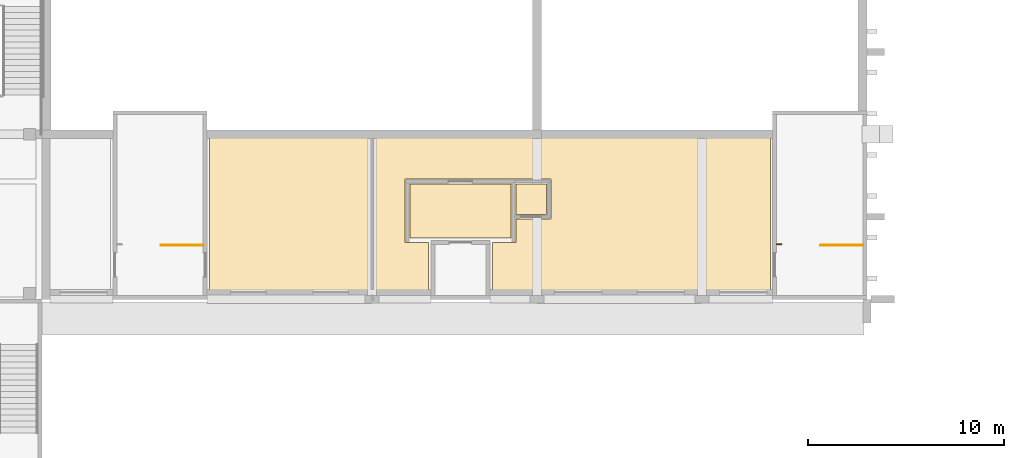
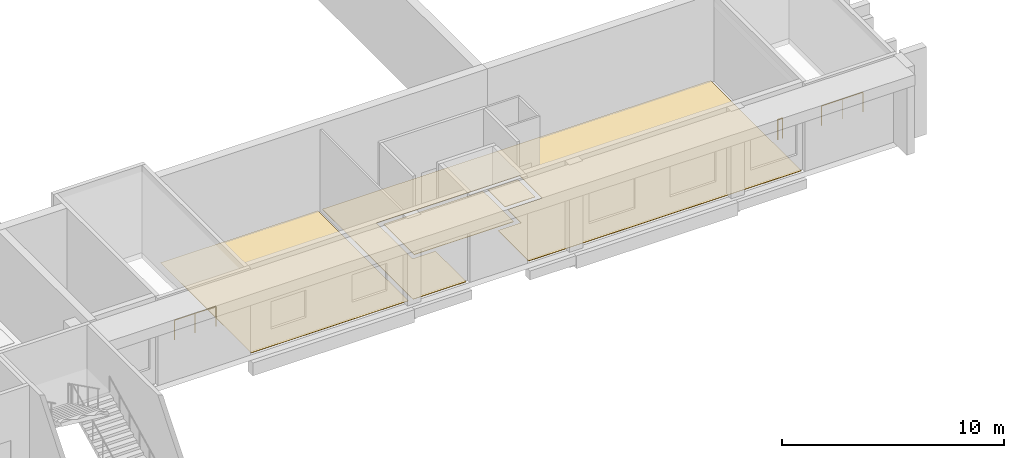
# One storey, part 76 of 86: 4 coverings, 3 railings.
"""IFC4 building model written with IfcOpenShell, lengths in metres."""

from ifc_helpers import new_model, si_unit, direction, frame, origin, origin_2d, place, context, subcontext, project, spatial, polyline, circle, outline, extrude, material, layer, layer_set, type_object, element, save


model = new_model("IFC4")

# Units and contexts
model_context = context("Model", 3, precision=1e-05, world=origin(), true_north=direction((0.0, 1.0)))
body_context = subcontext(model_context, "Body", "Model", "MODEL_VIEW")
ifc_project = project(units=[si_unit("LENGTHUNIT", "METRE"), si_unit("AREAUNIT", "SQUARE_METRE"), si_unit("VOLUMEUNIT", "CUBIC_METRE"), si_unit("PLANEANGLEUNIT", "RADIAN"), si_unit("MASSUNIT", "GRAM", prefix="KILO")], contexts=[model_context])

# Site, building, storey
site_placement = place(None, origin())
site = spatial("IfcSite", under=ifc_project, at=site_placement, CompositionType="ELEMENT")
building_placement = place(site_placement, origin())
building = spatial("IfcBuilding", under=site, at=building_placement, Name="Kiln Court Media Centre", CompositionType="ELEMENT")
storey_placement = place(building_placement, frame((0.0, 0.0, 10.199951171875)))
storey = spatial("IfcBuildingStorey", under=building, at=storey_placement, Name="L02", CompositionType="ELEMENT", Elevation=10.199951171875)

# Coverings
ifc_material_1 = material(Name="Carpet tile")
ifc_layer_1 = layer(ifc_material_1, 0.014892578125)
ifc_layer_set_1 = layer_set([ifc_layer_1], Name="Carpet tile floor finish 15")
covering_type_1 = type_object("IfcCoveringType", Name="Carpet tile floor finish 15", PredefinedType="FLOORING", material=ifc_layer_set_1)
covering_1_placement = place(storey_placement, origin())
element("IfcCovering", 1, at=covering_1_placement, inside=storey, type_object=covering_type_1, Name="Cinema Administration floor finish", PredefinedType="FLOORING", context=body_context, shape_type="SweptSolid", body=[
    extrude(outline(polyline([(67.320068359375, 25.320068359375), (75.47998046875, 25.320068359375), (75.47998046875, 33.47998046875), (67.320068359375, 33.47998046875), (67.320068359375, 25.320068359375)])), origin(), (0.0, 0.0, 1.0), 0.01513671875),
])
ifc_material_2 = material(Name="Engineered timber", Category="wood")
ifc_layer_2 = layer(ifc_material_2, 0.02001953125)
ifc_layer_set_2 = layer_set([ifc_layer_2], Name="Engineered timber floor finish 20")
covering_type_2 = type_object("IfcCoveringType", Name="Engineered timber floor finish 20", PredefinedType="FLOORING", material=ifc_layer_set_2)
covering_2_placement = place(storey_placement, origin())
element("IfcCovering", 2, at=covering_2_placement, inside=storey, type_object=covering_type_2, Name="Upper Lounge and Bar floor finish", PredefinedType="FLOORING", context=body_context, shape_type="SweptSolid", body=[
    extrude(outline(polyline([(77.280029296875, 31.320068359375), (84.719970703125, 31.320068359375), (84.719970703125, 29.280029296875), (82.919921875, 29.280029296875), (82.919921875, 28.080078125), (81.719970703125, 28.080078125), (81.719970703125, 25.320068359375), (95.8798828125, 25.320068359375), (95.8798828125, 33.47998046875), (75.719970703125, 33.47998046875), (75.719970703125, 25.320068359375), (78.47998046875, 25.320068359375), (78.47998046875, 28.080078125), (77.280029296875, 28.080078125), (77.280029296875, 31.320068359375)])), origin(), (0.0, 0.0, 1.0), 0.02001953125),
])
ifc_material_3 = material(Name="Terrazzo")
ifc_layer_3 = layer(ifc_material_3, 0.02490234375)
ifc_layer_set_3 = layer_set([ifc_layer_3], Name="Polished terrazzo floor finish 25")
covering_type_3 = type_object("IfcCoveringType", Name="Polished terrazzo floor finish 25", PredefinedType="FLOORING", material=ifc_layer_set_3)
covering_3_placement = place(storey_placement, origin())
element("IfcCovering", 3, at=covering_3_placement, inside=storey, type_object=covering_type_3, Name="Fire-fighting Lift Lobby floor finish", PredefinedType="FLOORING", context=body_context, shape_type="SweptSolid", body=[
    extrude(outline(polyline([(77.52001953125, 28.320068359375), (82.679931640625, 28.320068359375), (82.679931640625, 31.080078125), (77.52001953125, 31.080078125), (77.52001953125, 28.320068359375)])), origin(), (0.0, 0.0, 1.0), 0.025146484375),
])
covering_4_placement = place(storey_placement, origin())
element("IfcCovering", 4, at=covering_4_placement, inside=storey, type_object=covering_type_3, Name="Wheelchair Refuge floor finish", PredefinedType="FLOORING", context=body_context, shape_type="SweptSolid", body=[
    extrude(outline(polyline([(82.919921875, 29.52001953125), (84.47998046875, 29.52001953125), (84.47998046875, 31.080078125), (82.919921875, 31.080078125), (82.919921875, 29.52001953125)])), origin(), (0.0, 0.0, 1.0), 0.025146484375),
])

# Railings
ifc_material_4 = material(Name="Steel S275", Category="steel")
railing_type = type_object("IfcRailingType", Name="Steel S275 stair guard 1100", PredefinedType="GUARDRAIL", material=ifc_material_4)
railing_1_placement = place(storey_placement, frame((67.0, 27.949951171875, 0.0)))
element("IfcRailing", 5, at=railing_1_placement, inside=storey, type_object=railing_type, Name="ST-09 top floor guard", PredefinedType="GUARDRAIL", context=body_context, shape_type="SweptSolid", body=[
    extrude(circle(Radius=0.02392578125, at=origin_2d()), frame((0.0, 0.0, 1.076171875), z_axis=(-1.0, 0.0, 0.0), x_axis=(0.0, -1.0, 0.0)), (0.0, 0.0, 1.0), 2.14990234375),
    extrude(circle(Radius=0.02099609375, at=origin_2d()), origin(), (0.0, 0.0, 1.0), 1.052001953125),
    extrude(circle(Radius=0.02099609375, at=origin_2d()), frame((-1.074951171875, 0.0, 0.0)), (0.0, 0.0, 1.0), 1.052001953125),
    extrude(circle(Radius=0.02099609375, at=origin_2d()), frame((-2.14990234375, 0.0, 0.0)), (0.0, 0.0, 1.0), 1.052001953125),
])
railing_2_placement = place(storey_placement, frame((96.449951171875, 28.0, 0.0)))
element("IfcRailing", 6, at=railing_2_placement, inside=storey, type_object=railing_type, Name="ST-10 landing edge guard", PredefinedType="GUARDRAIL", context=body_context, shape_type="SweptSolid", body=[
    extrude(circle(Radius=0.02392578125, at=origin_2d()), frame((0.0, 0.0, 1.076171875), z_axis=(-1.0, 0.0, 0.0), x_axis=(0.0, -1.0, 0.0)), (0.0, 0.0, 1.0), 0.25),
    extrude(circle(Radius=0.02099609375, at=origin_2d()), origin(), (0.0, 0.0, 1.0), 1.052001953125),
    extrude(circle(Radius=0.02099609375, at=origin_2d()), frame((-0.25, 0.0, 0.0)), (0.0, 0.0, 1.0), 1.052001953125),
])
railing_3_placement = place(storey_placement, frame((100.60009765625, 27.949951171875, 0.0)))
element("IfcRailing", 7, at=railing_3_placement, inside=storey, type_object=railing_type, Name="ST-10 top floor guard", PredefinedType="GUARDRAIL", context=body_context, shape_type="SweptSolid", body=[
    extrude(circle(Radius=0.02392578125, at=origin_2d()), frame((0.0, 0.0, 1.076171875), z_axis=(-1.0, 0.0, 0.0), x_axis=(0.0, -1.0, 0.0)), (0.0, 0.0, 1.0), 2.150146484375),
    extrude(circle(Radius=0.02099609375, at=origin_2d()), origin(), (0.0, 0.0, 1.0), 1.052001953125),
    extrude(circle(Radius=0.02099609375, at=origin_2d()), frame((-1.0751953125, 0.0, 0.0)), (0.0, 0.0, 1.0), 1.052001953125),
    extrude(circle(Radius=0.02099609375, at=origin_2d()), frame((-2.150146484375, 0.0, 0.0)), (0.0, 0.0, 1.0), 1.052001953125),
])

save(model, "model.ifc")
